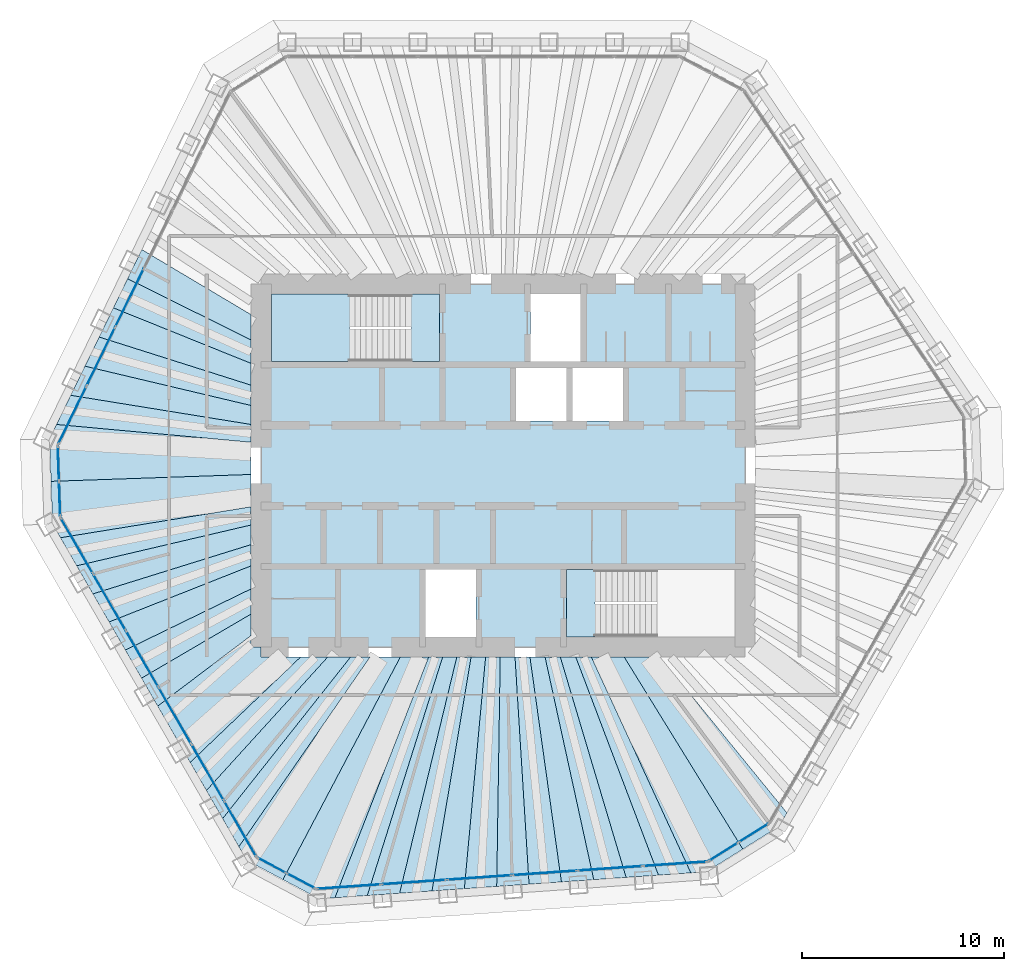
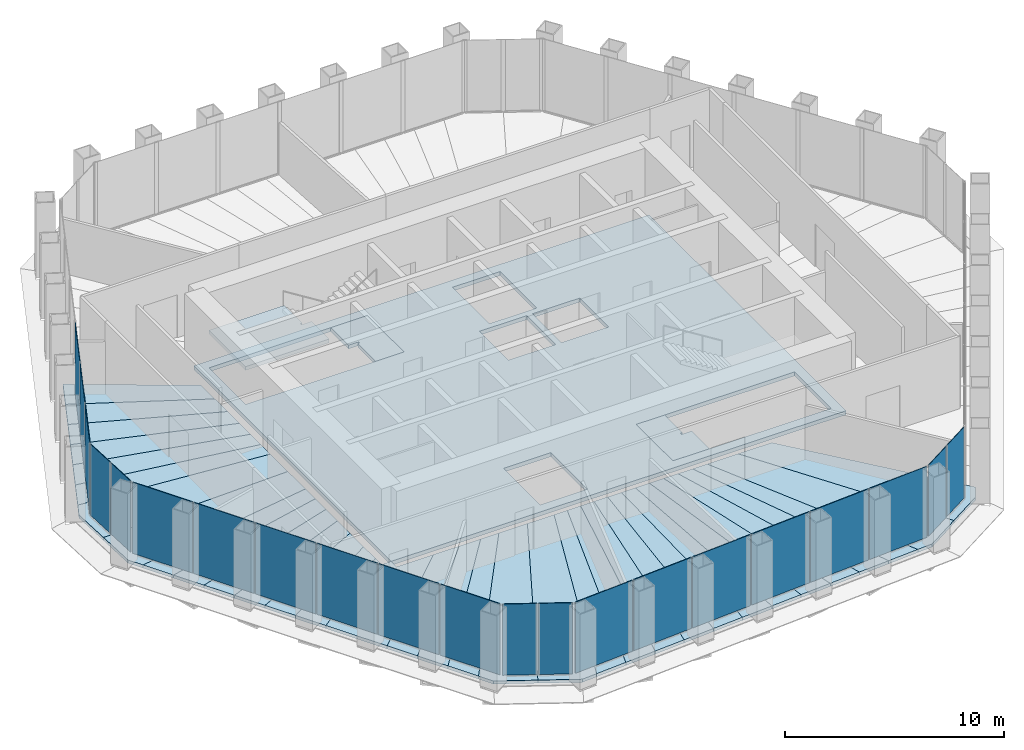
# One storey, part 9 of 14: 37 slabs, 21 plates, 8 elements without a shape of their own.
"""IFC4 building model written with IfcOpenShell, lengths in metres."""

from ifc_helpers import new_model, si_unit, direction, frame, origin, origin_2d, place, context, subcontext, project, spatial, polyline, rectangle, outline, extrude, material, layer, layer_set, type_object, element, aggregate, save


model = new_model("IFC4")

# Units and contexts
model_context = context("Model", 3, precision=1e-05, world=origin(), true_north=direction((0.0, 1.0)))
body_context = subcontext(model_context, "Body", "Model", "MODEL_VIEW")
ifc_project = project(units=[si_unit("LENGTHUNIT", "METRE"), si_unit("AREAUNIT", "SQUARE_METRE"), si_unit("VOLUMEUNIT", "CUBIC_METRE"), si_unit("PLANEANGLEUNIT", "RADIAN"), si_unit("MASSUNIT", "GRAM", prefix="KILO")], contexts=[model_context])

# Site, building, storey
site_placement = place(None, origin())
site = spatial("IfcSite", under=ifc_project, at=site_placement, CompositionType="ELEMENT")
building_placement = place(site_placement, origin())
building = spatial("IfcBuilding", under=site, at=building_placement, Name="Qingtian Harvest Tower", CompositionType="ELEMENT")
storey_placement = place(building_placement, frame((0.0, 0.0, 299.800048828125)))
storey = spatial("IfcBuildingStorey", under=building, at=storey_placement, Name="L66", CompositionType="ELEMENT", Elevation=299.800048828125)

# Slabs
ifc_material_1 = material(Name="Concrete fc' 35 MPa", Category="concrete")
ifc_layer_1 = layer(ifc_material_1, 0.169921875)
ifc_layer_set_1 = layer_set([ifc_layer_1], Name="Composite floor slab FS17 170")
slab_type_1 = type_object("IfcSlabType", Name="Composite floor slab FS17 170", PredefinedType="FLOOR", material=ifc_layer_set_1)
slab_1_placement = place(storey_placement, frame((0.0, 0.0, -0.170166015625)))
element("IfcSlab", 1, at=slab_1_placement, inside=storey, type_object=slab_type_1, Name="Floor slab L66 panel D01", PredefinedType="FLOOR", context=body_context, shape_type="SweptSolid", body=[
    extrude(outline(polyline([(-22.422607421875, -0.783203125), (-12.5, -0.4404296875), (-12.5, -2.044921875), (-21.95751953125, -3.578369140625), (-22.348876953125, -2.90087890625), (-22.422607421875, -0.783203125)])), origin(), (0.0, 0.0, 1.0), 0.170166015625),
])
slab_2_placement = place(storey_placement, frame((0.0, 0.0, -0.170166015625)))
element("IfcSlab", 2, at=slab_2_placement, inside=storey, type_object=slab_type_1, Name="Floor slab L66 panel D02", PredefinedType="FLOOR", context=body_context, shape_type="SweptSolid", body=[
    extrude(outline(polyline([(-12.5, -2.94677734375), (-21.153076171875, -4.9716796875), (-21.95751953125, -3.578369140625), (-12.5, -2.044921875), (-12.5, -2.94677734375)])), origin(), (0.0, 0.0, 1.0), 0.170166015625),
])
slab_3_placement = place(storey_placement, frame((0.0, 0.0, -0.170166015625)))
element("IfcSlab", 3, at=slab_3_placement, inside=storey, type_object=slab_type_1, Name="Floor slab L66 panel D03", PredefinedType="FLOOR", context=body_context, shape_type="SweptSolid", body=[
    extrude(outline(polyline([(-12.5, -3.919921875), (-20.3486328125, -6.365234375), (-21.153076171875, -4.9716796875), (-12.5, -2.94677734375), (-12.5, -3.919921875)])), origin(), (0.0, 0.0, 1.0), 0.170166015625),
])
slab_4_placement = place(storey_placement, frame((0.0, 0.0, -0.170166015625)))
element("IfcSlab", 4, at=slab_4_placement, inside=storey, type_object=slab_type_1, Name="Floor slab L66 panel D04", PredefinedType="FLOOR", context=body_context, shape_type="SweptSolid", body=[
    extrude(outline(polyline([(-12.5, -4.973388671875), (-19.544189453125, -7.758544921875), (-20.3486328125, -6.365234375), (-12.5, -3.919921875), (-12.5, -4.973388671875)])), origin(), (0.0, 0.0, 1.0), 0.170166015625),
])
slab_5_placement = place(storey_placement, frame((0.0, 0.0, -0.170166015625)))
element("IfcSlab", 5, at=slab_5_placement, inside=storey, type_object=slab_type_1, Name="Floor slab L66 panel D05", PredefinedType="FLOOR", context=body_context, shape_type="SweptSolid", body=[
    extrude(outline(polyline([(-12.5, -6.1171875), (-18.73974609375, -9.15185546875), (-19.544189453125, -7.758544921875), (-12.5, -4.973388671875), (-12.5, -6.1171875)])), origin(), (0.0, 0.0, 1.0), 0.170166015625),
])
slab_6_placement = place(storey_placement, frame((0.0, 0.0, -0.170166015625)))
element("IfcSlab", 6, at=slab_6_placement, inside=storey, type_object=slab_type_1, Name="Floor slab L66 panel D06", PredefinedType="FLOOR", context=body_context, shape_type="SweptSolid", body=[
    extrude(outline(polyline([(-12.5, -7.364013671875), (-17.93505859375, -10.54541015625), (-18.73974609375, -9.15185546875), (-12.5, -6.1171875), (-12.5, -7.364013671875)])), origin(), (0.0, 0.0, 1.0), 0.170166015625),
])
slab_7_placement = place(storey_placement, frame((0.0, 0.0, -0.170166015625)))
element("IfcSlab", 7, at=slab_7_placement, inside=storey, type_object=slab_type_1, Name="Floor slab L66 panel D07", PredefinedType="FLOOR", context=body_context, shape_type="SweptSolid", body=[
    extrude(outline(polyline([(-12.5, -8.432373046875), (-17.134521484375, -11.931884765625), (-17.93505859375, -10.54541015625), (-12.5, -7.364013671875), (-12.5, -8.432373046875)])), origin(), (0.0, 0.0, 1.0), 0.170166015625),
])
slab_8_placement = place(storey_placement, frame((0.0, 0.0, -0.170166015625)))
element("IfcSlab", 8, at=slab_8_placement, inside=storey, type_object=slab_type_1, Name="Floor slab L66 panel D09", PredefinedType="FLOOR", context=body_context, shape_type="SweptSolid", body=[
    extrude(outline(polyline([(-15.522216796875, -14.724609375), (-17.134521484375, -11.931884765625), (-12.5, -8.432373046875), (-12.5, -9.0), (-12.0, -9.0), (-12.0, -9.5), (-10.048828125, -9.5), (-15.522216796875, -14.724609375)])), origin(), (0.0, 0.0, 1.0), 0.170166015625),
])
slab_9_placement = place(storey_placement, frame((0.0, 0.0, -0.170166015625)))
element("IfcSlab", 9, at=slab_9_placement, inside=storey, type_object=slab_type_1, Name="Floor slab L66 panel D10", PredefinedType="FLOOR", context=body_context, shape_type="SweptSolid", body=[
    extrude(outline(polyline([(-8.70068359375, -9.5), (-14.7177734375, -16.1181640625), (-15.522216796875, -14.724609375), (-10.048828125, -9.5), (-8.70068359375, -9.5)])), origin(), (0.0, 0.0, 1.0), 0.170166015625),
])
slab_10_placement = place(storey_placement, frame((0.0, 0.0, -0.170166015625)))
element("IfcSlab", 10, at=slab_10_placement, inside=storey, type_object=slab_type_1, Name="Floor slab L66 panel D11", PredefinedType="FLOOR", context=body_context, shape_type="SweptSolid", body=[
    extrude(outline(polyline([(-7.568359375, -9.5), (-13.9130859375, -17.51171875), (-14.7177734375, -16.1181640625), (-8.70068359375, -9.5), (-7.568359375, -9.5)])), origin(), (0.0, 0.0, 1.0), 0.170166015625),
])
slab_11_placement = place(storey_placement, frame((0.0, 0.0, -0.170166015625)))
element("IfcSlab", 11, at=slab_11_placement, inside=storey, type_object=slab_type_1, Name="Floor slab L66 panel D12", PredefinedType="FLOOR", context=body_context, shape_type="SweptSolid", body=[
    extrude(outline(polyline([(-6.603515625, -9.5), (-13.108642578125, -18.905029296875), (-13.9130859375, -17.51171875), (-7.568359375, -9.5), (-6.603515625, -9.5)])), origin(), (0.0, 0.0, 1.0), 0.170166015625),
])
slab_12_placement = place(storey_placement, frame((0.0, 0.0, -0.170166015625)))
element("IfcSlab", 12, at=slab_12_placement, inside=storey, type_object=slab_type_1, Name="Floor slab L66 panel D13", PredefinedType="FLOOR", context=body_context, shape_type="SweptSolid", body=[
    extrude(outline(polyline([(-6.603515625, -9.5), (-5.10009765625, -9.5), (-10.921142578125, -20.537841796875), (-12.717529296875, -19.582763671875), (-13.108642578125, -18.905029296875), (-6.603515625, -9.5)])), origin(), (0.0, 0.0, 1.0), 0.170166015625),
])
slab_13_placement = place(storey_placement, frame((0.0, 0.0, -0.170166015625)))
element("IfcSlab", 13, at=slab_13_placement, inside=storey, type_object=slab_type_1, Name="Floor slab L66 panel D14", PredefinedType="FLOOR", context=body_context, shape_type="SweptSolid", body=[
    extrude(outline(polyline([(-5.10009765625, -9.5), (-3.696044921875, -9.5), (-8.343017578125, -21.439208984375), (-9.123291015625, -21.49365234375), (-10.921142578125, -20.537841796875), (-5.10009765625, -9.5)])), origin(), (0.0, 0.0, 1.0), 0.170166015625),
])
slab_14_placement = place(storey_placement, frame((0.0, 0.0, -0.170166015625)))
element("IfcSlab", 14, at=slab_14_placement, inside=storey, type_object=slab_type_1, Name="Floor slab L66 panel D15", PredefinedType="FLOOR", context=body_context, shape_type="SweptSolid", body=[
    extrude(outline(polyline([(-3.00048828125, -9.5), (-6.738037109375, -21.326904296875), (-8.343017578125, -21.439208984375), (-3.696044921875, -9.5), (-3.00048828125, -9.5)])), origin(), (0.0, 0.0, 1.0), 0.170166015625),
])
slab_15_placement = place(storey_placement, frame((0.0, 0.0, -0.170166015625)))
element("IfcSlab", 15, at=slab_15_placement, inside=storey, type_object=slab_type_1, Name="Floor slab L66 panel D16", PredefinedType="FLOOR", context=body_context, shape_type="SweptSolid", body=[
    extrude(outline(polyline([(-2.297607421875, -9.5), (-5.133056640625, -21.21484375), (-6.738037109375, -21.326904296875), (-3.00048828125, -9.5), (-2.297607421875, -9.5)])), origin(), (0.0, 0.0, 1.0), 0.170166015625),
])
slab_16_placement = place(storey_placement, frame((0.0, 0.0, -0.170166015625)))
element("IfcSlab", 16, at=slab_16_placement, inside=storey, type_object=slab_type_1, Name="Floor slab L66 panel D17", PredefinedType="FLOOR", context=body_context, shape_type="SweptSolid", body=[
    extrude(outline(polyline([(-1.58740234375, -9.5), (-3.528076171875, -21.1025390625), (-5.133056640625, -21.21484375), (-2.297607421875, -9.5), (-1.58740234375, -9.5)])), origin(), (0.0, 0.0, 1.0), 0.170166015625),
])
slab_17_placement = place(storey_placement, frame((0.0, 0.0, -0.170166015625)))
element("IfcSlab", 17, at=slab_17_placement, inside=storey, type_object=slab_type_1, Name="Floor slab L66 panel D18", PredefinedType="FLOOR", context=body_context, shape_type="SweptSolid", body=[
    extrude(outline(polyline([(-0.869384765625, -9.5), (-1.9228515625, -20.990234375), (-3.528076171875, -21.1025390625), (-1.58740234375, -9.5), (-0.869384765625, -9.5)])), origin(), (0.0, 0.0, 1.0), 0.170166015625),
])
slab_18_placement = place(storey_placement, frame((0.0, 0.0, -0.170166015625)))
element("IfcSlab", 18, at=slab_18_placement, inside=storey, type_object=slab_type_1, Name="Floor slab L66 panel D19", PredefinedType="FLOOR", context=body_context, shape_type="SweptSolid", body=[
    extrude(outline(polyline([(-0.143798828125, -9.5), (-0.31787109375, -20.8779296875), (-1.9228515625, -20.990234375), (-0.869384765625, -9.5), (-0.143798828125, -9.5)])), origin(), (0.0, 0.0, 1.0), 0.170166015625),
])
slab_19_placement = place(storey_placement, frame((0.0, 0.0, -0.170166015625)))
element("IfcSlab", 19, at=slab_19_placement, inside=storey, type_object=slab_type_1, Name="Floor slab L66 panel D20", PredefinedType="FLOOR", context=body_context, shape_type="SweptSolid", body=[
    extrude(outline(polyline([(0.58984375, -9.5), (1.287109375, -20.765869140625), (-0.31787109375, -20.8779296875), (-0.143798828125, -9.5), (0.58984375, -9.5)])), origin(), (0.0, 0.0, 1.0), 0.170166015625),
])
slab_20_placement = place(storey_placement, frame((0.0, 0.0, -0.170166015625)))
element("IfcSlab", 20, at=slab_20_placement, inside=storey, type_object=slab_type_1, Name="Floor slab L66 panel D21", PredefinedType="FLOOR", context=body_context, shape_type="SweptSolid", body=[
    extrude(outline(polyline([(1.331298828125, -9.5), (2.89208984375, -20.653564453125), (1.287109375, -20.765869140625), (0.58984375, -9.5), (1.331298828125, -9.5)])), origin(), (0.0, 0.0, 1.0), 0.170166015625),
])
slab_21_placement = place(storey_placement, frame((0.0, 0.0, -0.170166015625)))
element("IfcSlab", 21, at=slab_21_placement, inside=storey, type_object=slab_type_1, Name="Floor slab L66 panel D22", PredefinedType="FLOOR", context=body_context, shape_type="SweptSolid", body=[
    extrude(outline(polyline([(2.080810546875, -9.5), (4.4970703125, -20.541259765625), (2.89208984375, -20.653564453125), (1.331298828125, -9.5), (2.080810546875, -9.5)])), origin(), (0.0, 0.0, 1.0), 0.170166015625),
])
slab_22_placement = place(storey_placement, frame((0.0, 0.0, -0.170166015625)))
element("IfcSlab", 22, at=slab_22_placement, inside=storey, type_object=slab_type_1, Name="Floor slab L66 panel D23", PredefinedType="FLOOR", context=body_context, shape_type="SweptSolid", body=[
    extrude(outline(polyline([(2.838623046875, -9.5), (6.10205078125, -20.42919921875), (4.4970703125, -20.541259765625), (2.080810546875, -9.5), (2.838623046875, -9.5)])), origin(), (0.0, 0.0, 1.0), 0.170166015625),
])
slab_23_placement = place(storey_placement, frame((0.0, 0.0, -0.170166015625)))
element("IfcSlab", 23, at=slab_23_placement, inside=storey, type_object=slab_type_1, Name="Floor slab L66 panel D24", PredefinedType="FLOOR", context=body_context, shape_type="SweptSolid", body=[
    extrude(outline(polyline([(3.604736328125, -9.5), (7.70703125, -20.31689453125), (6.10205078125, -20.42919921875), (2.838623046875, -9.5), (3.604736328125, -9.5)])), origin(), (0.0, 0.0, 1.0), 0.170166015625),
])
slab_24_placement = place(storey_placement, frame((0.0, 0.0, -0.170166015625)))
element("IfcSlab", 24, at=slab_24_placement, inside=storey, type_object=slab_type_1, Name="Floor slab L66 panel D25", PredefinedType="FLOOR", context=body_context, shape_type="SweptSolid", body=[
    extrude(outline(polyline([(4.379638671875, -9.5), (9.312255859375, -20.20458984375), (7.70703125, -20.31689453125), (3.604736328125, -9.5), (4.379638671875, -9.5)])), origin(), (0.0, 0.0, 1.0), 0.170166015625),
])
slab_25_placement = place(storey_placement, frame((0.0, 0.0, -0.170166015625)))
element("IfcSlab", 25, at=slab_25_placement, inside=storey, type_object=slab_type_1, Name="Floor slab L66 panel D26", PredefinedType="FLOOR", context=body_context, shape_type="SweptSolid", body=[
    extrude(outline(polyline([(4.379638671875, -9.5), (6.0087890625, -9.5), (11.890380859375, -19.026611328125), (10.09228515625, -20.150146484375), (9.312255859375, -20.20458984375), (4.379638671875, -9.5)])), origin(), (0.0, 0.0, 1.0), 0.170166015625),
])
slab_26_placement = place(storey_placement, frame((0.0, 0.0, -0.170166015625)))
element("IfcSlab", 26, at=slab_26_placement, inside=storey, type_object=slab_type_1, Name="Floor slab L66 panel D27", PredefinedType="FLOOR", context=body_context, shape_type="SweptSolid", body=[
    extrude(outline(polyline([(6.0087890625, -9.5), (7.78515625, -9.5), (14.077880859375, -17.2265625), (13.6865234375, -17.904296875), (11.890380859375, -19.026611328125), (6.0087890625, -9.5)])), origin(), (0.0, 0.0, 1.0), 0.170166015625),
])
slab_27_placement = place(storey_placement, frame((0.0, 0.0, -0.170166015625)))
element("IfcSlab", 27, at=slab_27_placement, inside=storey, type_object=slab_type_1, Name="Floor slab L66 panel D72", PredefinedType="FLOOR", context=body_context, shape_type="SweptSolid", body=[
    extrude(outline(polyline([(-12.5, 6.23095703125), (-18.627197265625, 9.2685546875), (-17.921875, 10.714599609375), (-12.5, 7.48583984375), (-12.5, 6.23095703125)])), origin(), (0.0, 0.0, 1.0), 0.170166015625),
])
slab_28_placement = place(storey_placement, frame((0.0, 0.0, -0.170166015625)))
element("IfcSlab", 28, at=slab_28_placement, inside=storey, type_object=slab_type_1, Name="Floor slab L66 panel D73", PredefinedType="FLOOR", context=body_context, shape_type="SweptSolid", body=[
    extrude(outline(polyline([(-12.5, 5.06787109375), (-19.33251953125, 7.822509765625), (-18.627197265625, 9.2685546875), (-12.5, 6.23095703125), (-12.5, 5.06787109375)])), origin(), (0.0, 0.0, 1.0), 0.170166015625),
])
slab_29_placement = place(storey_placement, frame((0.0, 0.0, -0.170166015625)))
element("IfcSlab", 29, at=slab_29_placement, inside=storey, type_object=slab_type_1, Name="Floor slab L66 panel D74", PredefinedType="FLOOR", context=body_context, shape_type="SweptSolid", body=[
    extrude(outline(polyline([(-12.5, 3.986572265625), (-20.037841796875, 6.376220703125), (-19.33251953125, 7.822509765625), (-12.5, 5.06787109375), (-12.5, 3.986572265625)])), origin(), (0.0, 0.0, 1.0), 0.170166015625),
])
slab_30_placement = place(storey_placement, frame((0.0, 0.0, -0.170166015625)))
element("IfcSlab", 30, at=slab_30_placement, inside=storey, type_object=slab_type_1, Name="Floor slab L66 panel D75", PredefinedType="FLOOR", context=body_context, shape_type="SweptSolid", body=[
    extrude(outline(polyline([(-12.5, 2.97900390625), (-20.7431640625, 4.93017578125), (-20.037841796875, 6.376220703125), (-12.5, 3.986572265625), (-12.5, 2.97900390625)])), origin(), (0.0, 0.0, 1.0), 0.170166015625),
])
slab_31_placement = place(storey_placement, frame((0.0, 0.0, -0.170166015625)))
element("IfcSlab", 31, at=slab_31_placement, inside=storey, type_object=slab_type_1, Name="Floor slab L66 panel D76", PredefinedType="FLOOR", context=body_context, shape_type="SweptSolid", body=[
    extrude(outline(polyline([(-12.5, 2.037841796875), (-21.448486328125, 3.484130859375), (-20.7431640625, 4.93017578125), (-12.5, 2.97900390625), (-12.5, 2.037841796875)])), origin(), (0.0, 0.0, 1.0), 0.170166015625),
])
slab_32_placement = place(storey_placement, frame((0.0, 0.0, -0.170166015625)))
element("IfcSlab", 32, at=slab_32_placement, inside=storey, type_object=slab_type_1, Name="Floor slab L66 panel D77", PredefinedType="FLOOR", context=body_context, shape_type="SweptSolid", body=[
    extrude(outline(polyline([(-12.5, 1.156494140625), (-22.15380859375, 2.037841796875), (-21.448486328125, 3.484130859375), (-12.5, 2.037841796875), (-12.5, 1.156494140625)])), origin(), (0.0, 0.0, 1.0), 0.170166015625),
])
slab_33_placement = place(storey_placement, frame((0.0, 0.0, -0.170166015625)))
element("IfcSlab", 33, at=slab_33_placement, inside=storey, type_object=slab_type_1, Name="Floor slab L66 panel D78", PredefinedType="FLOOR", context=body_context, shape_type="SweptSolid", body=[
    extrude(outline(polyline([(-12.5, 1.156494140625), (-12.5, -0.4404296875), (-22.422607421875, -0.783203125), (-22.49658203125, 1.334716796875), (-22.15380859375, 2.037841796875), (-12.5, 1.156494140625)])), origin(), (0.0, 0.0, 1.0), 0.170166015625),
])
ifc_material_2 = material(Name="Concrete fc' 35 MPa", Category="concrete")
ifc_layer_2 = layer(ifc_material_2, 0.219970703125)
ifc_layer_set_2 = layer_set([ifc_layer_2], Name="Core floor slab CS22 220")
slab_type_2 = type_object("IfcSlabType", Name="Core floor slab CS22 220", PredefinedType="FLOOR", material=ifc_layer_set_2)
slab_34_placement = place(storey_placement, frame((0.0, 0.0, -0.219970703125)))
element("IfcSlab", 34, at=slab_34_placement, inside=storey, type_object=slab_type_2, Name="Core floor slab L66", PredefinedType="FLOOR", context=body_context, shape_type="SweptSolid", body=[
    extrude(outline(polyline([(-12.0, -9.0), (12.0, -9.0), (12.0, 9.0), (-12.0, 9.0), (-12.0, -9.0)]), holes=[polyline([(-11.5, 5.14990234375), (-3.14990234375, 5.14990234375), (-3.14990234375, 8.5), (-11.5, 8.5), (-11.5, 5.14990234375)]), polyline([(3.14990234375, -8.5), (11.5, -8.5), (11.5, -5.14990234375), (3.14990234375, -5.14990234375), (3.14990234375, -8.5)]), polyline([(1.35009765625, 5.14990234375), (3.85009765625, 5.14990234375), (3.85009765625, 8.5), (1.35009765625, 8.5), (1.35009765625, 5.14990234375)]), polyline([(-3.85009765625, -8.5), (-1.35009765625, -8.5), (-1.35009765625, -5.14990234375), (-3.85009765625, -5.14990234375), (-3.85009765625, -8.5)]), polyline([(0.64990234375, 2.199951171875), (3.14990234375, 2.199951171875), (3.14990234375, 4.85009765625), (0.64990234375, 4.85009765625), (0.64990234375, 2.199951171875)]), polyline([(3.449951171875, 2.199951171875), (5.949951171875, 2.199951171875), (5.949951171875, 4.85009765625), (3.449951171875, 4.85009765625), (3.449951171875, 2.199951171875)])]), origin(), (0.0, 0.0, 1.0), 0.219970703125),
])

# Curtain wall, plates
ifc_material_3 = material(Name="Bronze-anodised aluminium curtain wall", Category="aluminium")
curtain_wall_type = type_object("IfcCurtainWallType", Name="Curtain wall CW5 upper office", PredefinedType="USERDEFINED", material=ifc_material_3)
curtain_wall_1_placement = place(storey_placement, origin())
curtain_wall_1 = element("IfcCurtainWall", 35, at=curtain_wall_1_placement, inside=storey, type_object=curtain_wall_type, Name="Curtain wall CW5 L66 SEC", ObjectType="RECESSED CURTAIN WALL", PredefinedType="USERDEFINED")
ifc_material_4 = material(Name="Bronze-tinted laminated insulating glass", Category="glass")
ifc_layer_3 = layer(ifc_material_4, 0.030029296875)
ifc_layer_set_3 = layer_set([ifc_layer_3], Name="Glazed panel CWP tinted IGU")
plate_type = type_object("IfcPlateType", Name="Glazed panel CWP tinted IGU", PredefinedType="CURTAIN_PANEL", material=ifc_layer_set_3)
plate_1_placement = place(storey_placement, frame((12.42431640625, -18.224609375, 0.06494140625), z_axis=(0.0, 0.0, 1.0), x_axis=(-0.848048096156, -0.529919264233, 0.0)))
plate_1 = element("IfcPlate", 36, at=plate_1_placement, type_object=plate_type, Name="CW5 panel 1.1", PredefinedType="CURTAIN_PANEL", context=body_context, shape_type="SweptSolid", body=[
    extrude(rectangle(XDim=1.69287109375, YDim=0.030029296875, at=origin_2d()), origin(), (0.0, 0.0, 1.0), 3.965087890625),
])
plate_2_placement = place(storey_placement, frame((10.93359375, -19.156005859375, 0.06494140625), z_axis=(0.0, 0.0, 1.0), x_axis=(-0.848048096156, -0.529919264233, 0.0)))
plate_2 = element("IfcPlate", 37, at=plate_2_placement, type_object=plate_type, Name="CW5 panel 2.1", PredefinedType="CURTAIN_PANEL", context=body_context, shape_type="SweptSolid", body=[
    extrude(rectangle(XDim=1.69287109375, YDim=0.030029296875, at=origin_2d()), origin(), (0.0, 0.0, 1.0), 3.965087890625),
])
aggregate(curtain_wall_1, [plate_1, plate_2])

curtain_wall_2_placement = place(storey_placement, origin())
curtain_wall_2 = element("IfcCurtainWall", 38, at=curtain_wall_2_placement, inside=storey, type_object=curtain_wall_type, Name="Curtain wall CW5 L66 S0-5", ObjectType="RECESSED CURTAIN WALL", PredefinedType="USERDEFINED")
plate_3_placement = place(storey_placement, frame((8.5244140625, -19.75341796875, 0.06494140625), z_axis=(0.0, 0.0, 1.0), x_axis=(-0.99756405026, -0.069756473744, 0.0)))
plate_3 = element("IfcPlate", 39, at=plate_3_placement, type_object=plate_type, Name="CW5 panel 1.1", PredefinedType="CURTAIN_PANEL", context=body_context, shape_type="SweptSolid", body=[
    extrude(rectangle(XDim=3.150634765625, YDim=0.030029296875, at=origin_2d()), origin(), (0.0, 0.0, 1.0), 3.965087890625),
])
plate_4_placement = place(storey_placement, frame((5.300537109375, -19.97900390625, 0.06494140625), z_axis=(0.0, 0.0, 1.0), x_axis=(-0.99756405026, -0.069756473744, 0.0)))
plate_4 = element("IfcPlate", 40, at=plate_4_placement, type_object=plate_type, Name="CW5 panel 2.1", PredefinedType="CURTAIN_PANEL", context=body_context, shape_type="SweptSolid", body=[
    extrude(rectangle(XDim=3.18310546875, YDim=0.030029296875, at=origin_2d()), origin(), (0.0, 0.0, 1.0), 3.965087890625),
])
plate_5_placement = place(storey_placement, frame((2.060302734375, -20.20556640625, 0.06494140625), z_axis=(0.0, 0.0, 1.0), x_axis=(-0.99756405026, -0.069756473744, 0.0)))
plate_5 = element("IfcPlate", 41, at=plate_5_placement, type_object=plate_type, Name="CW5 panel 3.1", PredefinedType="CURTAIN_PANEL", context=body_context, shape_type="SweptSolid", body=[
    extrude(rectangle(XDim=3.18310546875, YDim=0.030029296875, at=origin_2d()), origin(), (0.0, 0.0, 1.0), 3.965087890625),
])
plate_6_placement = place(storey_placement, frame((-1.1796875, -20.43212890625, 0.06494140625), z_axis=(0.0, 0.0, 1.0), x_axis=(-0.99756405026, -0.069756473744, 0.0)))
plate_6 = element("IfcPlate", 42, at=plate_6_placement, type_object=plate_type, Name="CW5 panel 4.1", PredefinedType="CURTAIN_PANEL", context=body_context, shape_type="SweptSolid", body=[
    extrude(rectangle(XDim=3.18310546875, YDim=0.030029296875, at=origin_2d()), origin(), (0.0, 0.0, 1.0), 3.965087890625),
])
plate_7_placement = place(storey_placement, frame((-4.419921875, -20.65869140625, 0.06494140625), z_axis=(0.0, 0.0, 1.0), x_axis=(-0.99756405026, -0.069756473744, 0.0)))
plate_7 = element("IfcPlate", 43, at=plate_7_placement, type_object=plate_type, Name="CW5 panel 5.1", PredefinedType="CURTAIN_PANEL", context=body_context, shape_type="SweptSolid", body=[
    extrude(rectangle(XDim=3.18310546875, YDim=0.030029296875, at=origin_2d()), origin(), (0.0, 0.0, 1.0), 3.965087890625),
])
plate_8_placement = place(storey_placement, frame((-7.643798828125, -20.884033203125, 0.06494140625), z_axis=(0.0, 0.0, 1.0), x_axis=(-0.99756405026, -0.069756473744, 0.0)))
plate_8 = element("IfcPlate", 44, at=plate_8_placement, type_object=plate_type, Name="CW5 panel 6.1", PredefinedType="CURTAIN_PANEL", context=body_context, shape_type="SweptSolid", body=[
    extrude(rectangle(XDim=3.150634765625, YDim=0.030029296875, at=origin_2d()), origin(), (0.0, 0.0, 1.0), 3.965087890625),
])
aggregate(curtain_wall_2, [plate_3, plate_4, plate_5, plate_6, plate_7, plate_8])

curtain_wall_3_placement = place(storey_placement, origin())
curtain_wall_3 = element("IfcCurtainWall", 45, at=curtain_wall_3_placement, inside=storey, type_object=curtain_wall_type, Name="Curtain wall CW5 L66 SC", ObjectType="RECESSED CURTAIN WALL", PredefinedType="USERDEFINED")
plate_9_placement = place(storey_placement, frame((-10.029296875, -20.60009765625, 0.06494140625), z_axis=(0.0, 0.0, 1.0), x_axis=(-0.882947592859, 0.469471562786, 0.0)))
plate_9 = element("IfcPlate", 46, at=plate_9_placement, type_object=plate_type, Name="CW5 panel 1.1", PredefinedType="CURTAIN_PANEL", context=body_context, shape_type="SweptSolid", body=[
    extrude(rectangle(XDim=1.56689453125, YDim=0.030029296875, at=origin_2d()), origin(), (0.0, 0.0, 1.0), 3.965087890625),
])
plate_10_placement = place(storey_placement, frame((-11.469970703125, -19.833984375, 0.06494140625), z_axis=(0.0, 0.0, 1.0), x_axis=(-0.882947592859, 0.469471562786, 0.0)))
plate_10 = element("IfcPlate", 47, at=plate_10_placement, type_object=plate_type, Name="CW5 panel 2.1", PredefinedType="CURTAIN_PANEL", context=body_context, shape_type="SweptSolid", body=[
    extrude(rectangle(XDim=1.56689453125, YDim=0.030029296875, at=origin_2d()), origin(), (0.0, 0.0, 1.0), 3.965087890625),
])
aggregate(curtain_wall_3, [plate_9, plate_10])

curtain_wall_4_placement = place(storey_placement, origin())
curtain_wall_4 = element("IfcCurtainWall", 48, at=curtain_wall_4_placement, inside=storey, type_object=curtain_wall_type, Name="Curtain wall CW5 L66 SW0-5", ObjectType="RECESSED CURTAIN WALL", PredefinedType="USERDEFINED")
plate_11_placement = place(storey_placement, frame((-13.039306640625, -18.01513671875, 0.06494140625), z_axis=(0.0, 0.0, 1.0), x_axis=(-0.5, 0.866025403784, 0.0)))
plate_11 = element("IfcPlate", 49, at=plate_11_placement, type_object=plate_type, Name="CW5 panel 1.1", PredefinedType="CURTAIN_PANEL", context=body_context, shape_type="SweptSolid", body=[
    extrude(rectangle(XDim=3.150634765625, YDim=0.030029296875, at=origin_2d()), origin(), (0.0, 0.0, 1.0), 3.965087890625),
])
plate_12_placement = place(storey_placement, frame((-14.6552734375, -15.216552734375, 0.06494140625), z_axis=(0.0, 0.0, 1.0), x_axis=(-0.5, 0.866025403784, 0.0)))
plate_12 = element("IfcPlate", 50, at=plate_12_placement, type_object=plate_type, Name="CW5 panel 2.1", PredefinedType="CURTAIN_PANEL", context=body_context, shape_type="SweptSolid", body=[
    extrude(rectangle(XDim=3.18310546875, YDim=0.030029296875, at=origin_2d()), origin(), (0.0, 0.0, 1.0), 3.965087890625),
])
plate_13_placement = place(storey_placement, frame((-16.279296875, -12.403564453125, 0.06494140625), z_axis=(0.0, 0.0, 1.0), x_axis=(-0.5, 0.866025403784, 0.0)))
plate_13 = element("IfcPlate", 51, at=plate_13_placement, type_object=plate_type, Name="CW5 panel 3.1", PredefinedType="CURTAIN_PANEL", context=body_context, shape_type="SweptSolid", body=[
    extrude(rectangle(XDim=3.18310546875, YDim=0.030029296875, at=origin_2d()), origin(), (0.0, 0.0, 1.0), 3.965087890625),
])
plate_14_placement = place(storey_placement, frame((-17.9033203125, -9.590576171875, 0.06494140625), z_axis=(0.0, 0.0, 1.0), x_axis=(-0.5, 0.866025403784, 0.0)))
plate_14 = element("IfcPlate", 52, at=plate_14_placement, type_object=plate_type, Name="CW5 panel 4.1", PredefinedType="CURTAIN_PANEL", context=body_context, shape_type="SweptSolid", body=[
    extrude(rectangle(XDim=3.18310546875, YDim=0.030029296875, at=origin_2d()), origin(), (0.0, 0.0, 1.0), 3.965087890625),
])
plate_15_placement = place(storey_placement, frame((-19.52734375, -6.77783203125, 0.06494140625), z_axis=(0.0, 0.0, 1.0), x_axis=(-0.5, 0.866025403784, 0.0)))
plate_15 = element("IfcPlate", 53, at=plate_15_placement, type_object=plate_type, Name="CW5 panel 5.1", PredefinedType="CURTAIN_PANEL", context=body_context, shape_type="SweptSolid", body=[
    extrude(rectangle(XDim=3.18310546875, YDim=0.030029296875, at=origin_2d()), origin(), (0.0, 0.0, 1.0), 3.965087890625),
])
plate_16_placement = place(storey_placement, frame((-21.14306640625, -3.97900390625, 0.06494140625), z_axis=(0.0, 0.0, 1.0), x_axis=(-0.5, 0.866025403784, 0.0)))
plate_16 = element("IfcPlate", 54, at=plate_16_placement, type_object=plate_type, Name="CW5 panel 6.1", PredefinedType="CURTAIN_PANEL", context=body_context, shape_type="SweptSolid", body=[
    extrude(rectangle(XDim=3.150634765625, YDim=0.030029296875, at=origin_2d()), origin(), (0.0, 0.0, 1.0), 3.965087890625),
])
aggregate(curtain_wall_4, [plate_11, plate_12, plate_13, plate_14, plate_15, plate_16])

curtain_wall_5_placement = place(storey_placement, origin())
curtain_wall_5 = element("IfcCurtainWall", 55, at=curtain_wall_5_placement, inside=storey, type_object=curtain_wall_type, Name="Curtain wall CW5 L66 SWC", ObjectType="RECESSED CURTAIN WALL", PredefinedType="USERDEFINED")
plate_17_placement = place(storey_placement, frame((-21.9951171875, -1.647705078125, 0.06494140625), z_axis=(0.0, 0.0, 1.0), x_axis=(-0.034899496703, 0.999390827019, 0.0)))
plate_17 = element("IfcPlate", 56, at=plate_17_placement, type_object=plate_type, Name="CW5 panel 1.1", PredefinedType="CURTAIN_PANEL", context=body_context, shape_type="SweptSolid", body=[
    extrude(rectangle(XDim=1.69287109375, YDim=0.030029296875, at=origin_2d()), origin(), (0.0, 0.0, 1.0), 3.965087890625),
])
plate_18_placement = place(storey_placement, frame((-22.056396484375, 0.109375, 0.06494140625), z_axis=(0.0, 0.0, 1.0), x_axis=(-0.034899496703, 0.999390827019, 0.0)))
plate_18 = element("IfcPlate", 57, at=plate_18_placement, type_object=plate_type, Name="CW5 panel 2.1", PredefinedType="CURTAIN_PANEL", context=body_context, shape_type="SweptSolid", body=[
    extrude(rectangle(XDim=1.69287109375, YDim=0.030029296875, at=origin_2d()), origin(), (0.0, 0.0, 1.0), 3.965087890625),
])
aggregate(curtain_wall_5, [plate_17, plate_18])

curtain_wall_6_placement = place(storey_placement, origin())
curtain_wall_6 = element("IfcCurtainWall", 58, at=curtain_wall_6_placement, inside=storey, type_object=curtain_wall_type, Name="Curtain wall CW5 L66 NW0-5", ObjectType="RECESSED CURTAIN WALL", PredefinedType="USERDEFINED")
plate_19_placement = place(storey_placement, frame((-21.369140625, 2.494384765625, 0.06494140625), z_axis=(0.0, 0.0, 1.0), x_axis=(0.438371146789, 0.898794046299, 0.0)))
plate_19 = element("IfcPlate", 59, at=plate_19_placement, type_object=plate_type, Name="CW5 panel 1.1", PredefinedType="CURTAIN_PANEL", context=body_context, shape_type="SweptSolid", body=[
    extrude(rectangle(XDim=3.150634765625, YDim=0.030029296875, at=origin_2d()), origin(), (0.0, 0.0, 1.0), 3.965087890625),
])
plate_20_placement = place(storey_placement, frame((-19.952392578125, 5.399169921875, 0.06494140625), z_axis=(0.0, 0.0, 1.0), x_axis=(0.438371146789, 0.898794046299, 0.0)))
plate_20 = element("IfcPlate", 60, at=plate_20_placement, type_object=plate_type, Name="CW5 panel 2.1", PredefinedType="CURTAIN_PANEL", context=body_context, shape_type="SweptSolid", body=[
    extrude(rectangle(XDim=3.18310546875, YDim=0.030029296875, at=origin_2d()), origin(), (0.0, 0.0, 1.0), 3.965087890625),
])
plate_21_placement = place(storey_placement, frame((-18.528564453125, 8.318359375, 0.06494140625), z_axis=(0.0, 0.0, 1.0), x_axis=(0.438371146789, 0.898794046299, 0.0)))
plate_21 = element("IfcPlate", 61, at=plate_21_placement, type_object=plate_type, Name="CW5 panel 3.1", PredefinedType="CURTAIN_PANEL", context=body_context, shape_type="SweptSolid", body=[
    extrude(rectangle(XDim=3.18310546875, YDim=0.030029296875, at=origin_2d()), origin(), (0.0, 0.0, 1.0), 3.965087890625),
])
aggregate(curtain_wall_6, [plate_19, plate_20, plate_21])

# Stair, slabs
ifc_material_5 = material(Name="Concrete fc' 35 MPa", Category="concrete")
stair_type = type_object("IfcStairType", Name="Special stair ST6 4200", PredefinedType="HALF_TURN_STAIR", material=ifc_material_5)
stair_1_placement = place(storey_placement, origin())
stair_1 = element("IfcStair", 62, at=stair_1_placement, inside=storey, type_object=stair_type, Name="Special stair S1 L66", PredefinedType="HALF_TURN_STAIR")
ifc_material_6 = material(Name="Concrete fc' 35 MPa", Category="concrete")
ifc_layer_4 = layer(ifc_material_6, 0.199951171875)
ifc_layer_set_4 = layer_set([ifc_layer_4], Name="Stair landing SL2 200")
slab_type_3 = type_object("IfcSlabType", Name="Stair landing SL2 200", PredefinedType="LANDING", material=ifc_layer_set_4)
slab_35_placement = place(storey_placement, frame((0.0, 0.0, -0.199951171875)))
slab_35 = element("IfcSlab", 63, at=slab_35_placement, type_object=slab_type_3, Name="S1 landing 1", PredefinedType="LANDING", context=body_context, shape_type="SweptSolid", body=[
    extrude(outline(polyline([(-4.64990234375, 5.14990234375), (-4.64990234375, 6.77490234375), (-4.550048828125, 6.77490234375), (-4.550048828125, 6.875), (-5.0849609375, 6.875), (-5.0849609375, 8.5), (-3.14990234375, 8.5), (-3.14990234375, 5.14990234375), (-4.64990234375, 5.14990234375)])), origin(), (0.0, 0.0, 1.0), 0.199951171875),
])
slab_36_placement = place(storey_placement, frame((0.0, 0.0, 1.89990234375)))
slab_36 = element("IfcSlab", 64, at=slab_36_placement, type_object=slab_type_3, Name="S1 landing 2", PredefinedType="LANDING", context=body_context, shape_type="SweptSolid", body=[
    extrude(outline(polyline([(-7.094970703125, 5.14990234375), (-11.5, 5.14990234375), (-11.5, 8.5), (-7.530029296875, 8.5), (-7.530029296875, 6.875), (-7.6298828125, 6.875), (-7.6298828125, 6.77490234375), (-7.094970703125, 6.77490234375), (-7.094970703125, 5.14990234375)])), origin(), (0.0, 0.0, 1.0), 0.199951171875),
])
aggregate(stair_1, [slab_35, slab_36])

# Stair, slab
stair_2_placement = place(storey_placement, origin())
stair_2 = element("IfcStair", 65, at=stair_2_placement, inside=storey, type_object=stair_type, Name="Special stair S2 L66", PredefinedType="HALF_TURN_STAIR")
slab_37_placement = place(storey_placement, frame((0.0, 0.0, -0.199951171875)))
slab_37 = element("IfcSlab", 66, at=slab_37_placement, type_object=slab_type_3, Name="S2 landing 1", PredefinedType="LANDING", context=body_context, shape_type="SweptSolid", body=[
    extrude(outline(polyline([(5.0849609375, -8.5), (3.14990234375, -8.5), (3.14990234375, -5.14990234375), (4.64990234375, -5.14990234375), (4.64990234375, -6.77490234375), (4.550048828125, -6.77490234375), (4.550048828125, -6.875), (5.0849609375, -6.875), (5.0849609375, -8.5)])), origin(), (0.0, 0.0, 1.0), 0.199951171875),
])
aggregate(stair_2, [slab_37])

save(model, "model.ifc")
